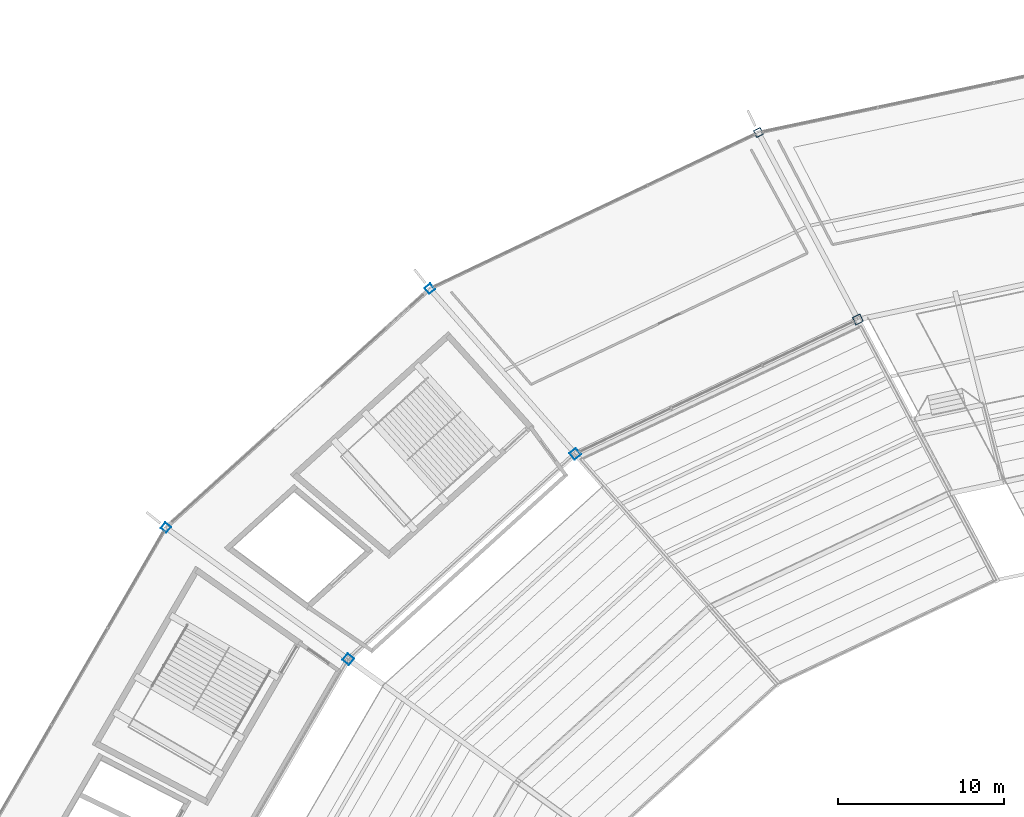
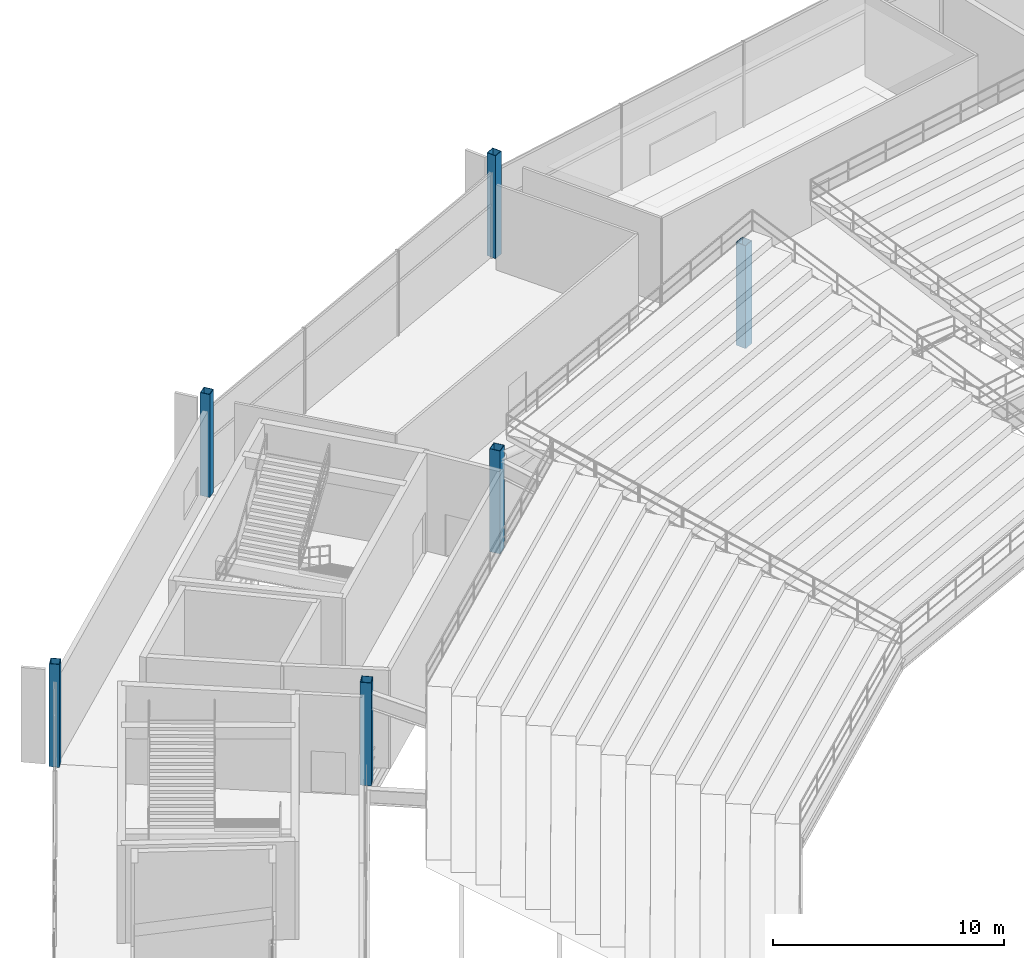
# One storey, part 8 of 186: 6 columns.
"""IFC4 building model written with IfcOpenShell, lengths in metres."""

from ifc_helpers import new_model, si_unit, direction, frame, origin, origin_2d, place, context, subcontext, project, spatial, hollow_rectangle, extrude, material, material_profile, profile_set, type_object, element, save


model = new_model("IFC4")

# Units and contexts
model_context = context("Model", 3, precision=1e-05, world=origin(), true_north=direction((0.0, 1.0)))
body_context = subcontext(model_context, "Body", "Model", "MODEL_VIEW")
ifc_project = project(units=[si_unit("LENGTHUNIT", "METRE"), si_unit("AREAUNIT", "SQUARE_METRE"), si_unit("VOLUMEUNIT", "CUBIC_METRE"), si_unit("PLANEANGLEUNIT", "RADIAN"), si_unit("MASSUNIT", "GRAM", prefix="KILO")], contexts=[model_context])

# Site, building, storey
site_placement = place(None, origin())
site = spatial("IfcSite", under=ifc_project, at=site_placement, CompositionType="ELEMENT")
building_placement = place(site_placement, origin())
building = spatial("IfcBuilding", under=site, at=building_placement, Name="Kazemori Nagisa Stadium", CompositionType="ELEMENT")
storey_placement = place(building_placement, frame((0.0, 0.0, 20.39990234375)))
storey = spatial("IfcBuildingStorey", under=building, at=storey_placement, Name="L04", CompositionType="ELEMENT", Elevation=20.39990234375)

# Columns
ifc_material = material(Name="Steel STKR490", Category="steel")
ifc_material_profile_1 = material_profile(ifc_material, hollow_rectangle(XDim=0.449951171875, YDim=0.449951171875, WallThickness=0.02197265625, at=origin_2d()), Name="SHS-450x450x22")
ifc_profile_set_1 = profile_set([ifc_material_profile_1], Name="Steel STKR490")
column_type_1 = type_object("IfcColumnType", Name="Column_C-ST450", PredefinedType="COLUMN", material=ifc_profile_set_1)
for number, where, z_axis, x_axis, name in (
    (1, (80.1953125, 182.46435546875, 0.0), (0.0, 0.0, 1.0), (-0.433883739113, 0.900968867905, 0.0), "Column C-ST450 L04 R3-10"),
    (2, (60.402099609375, 173.05908203125, 0.0), (0.0, 0.0, 1.0), (-0.623489801853, 0.781831482473, 0.0), "Column C-ST450 L04 R3-11"),
    (3, (44.504638671875, 158.667724609375, 0.0), (0.0, 0.0, 1.0), (-0.781831482473, 0.623489801853, 0.0), "Column C-ST450 L04 R3-12"),
):
    element("IfcColumn", number, at=place(storey_placement, frame(where, z_axis=z_axis, x_axis=x_axis)), inside=storey, type_object=column_type_1, Name=name, PredefinedType="COLUMN", context=body_context, shape_type="SweptSolid", body=[
        extrude(hollow_rectangle(XDim=0.449951171875, YDim=0.449951171875, WallThickness=0.02197265625, at=origin_2d()), origin(), (0.0, 0.0, 1.0), 5.440185546875),
    ])
ifc_material_profile_2 = material_profile(ifc_material, hollow_rectangle(XDim=0.5, YDim=0.5, WallThickness=0.02197265625, at=origin_2d()), Name="SHS-500x500x22")
ifc_profile_set_2 = profile_set([ifc_material_profile_2], Name="Steel STKR490")
column_type_2 = type_object("IfcColumnType", Name="Column_C-ST500", PredefinedType="COLUMN", material=ifc_profile_set_2)
for number, where, z_axis, x_axis, name in (
    (4, (86.18798828125, 171.19921875, 0.0), (0.0, 0.0, 1.0), (-0.433883739113, 0.900968867905, 0.0), "Column C-ST500 L04 R2-10"),
    (5, (69.165771484375, 163.11083984375, 0.0), (0.0, 0.0, 1.0), (-0.623489801853, 0.781831482473, 0.0), "Column C-ST500 L04 R2-11"),
    (6, (55.493896484375, 150.734130859375, 0.0), (0.0, 0.0, 1.0), (-0.781831482473, 0.623489801853, 0.0), "Column C-ST500 L04 R2-12"),
):
    element("IfcColumn", number, at=place(storey_placement, frame(where, z_axis=z_axis, x_axis=x_axis)), inside=storey, type_object=column_type_2, Name=name, PredefinedType="COLUMN", context=body_context, shape_type="SweptSolid", body=[
        extrude(hollow_rectangle(XDim=0.5, YDim=0.5, WallThickness=0.02197265625, at=origin_2d()), origin(), (0.0, 0.0, 1.0), 5.440185546875),
    ])

save(model, "model.ifc")
